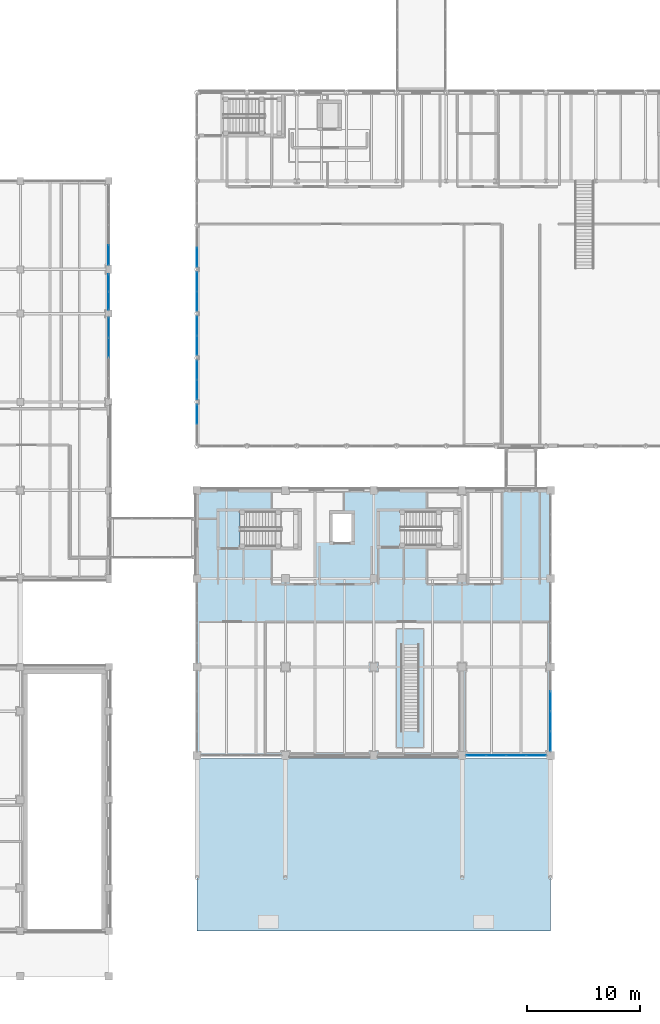
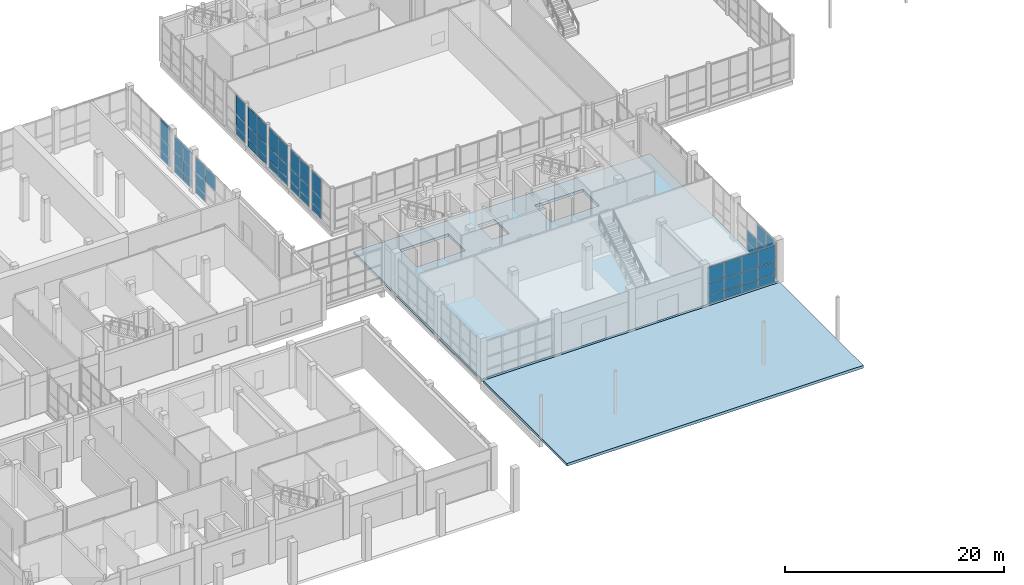
# One storey, part 73 of 131: 57 plates, 2 slabs, 10 elements without a shape of their own.
"""IFC4 building model written with IfcOpenShell, lengths in metres."""

from ifc_helpers import new_model, si_unit, direction, frame, origin, origin_2d, place, context, subcontext, project, spatial, polyline, rectangle, outline, extrude, material, layer, layer_set, type_object, element, aggregate, save


model = new_model("IFC4")

# Units and contexts
model_context = context("Model", 3, precision=1e-05, world=origin(), true_north=direction((0.0, 1.0)))
body_context = subcontext(model_context, "Body", "Model", "MODEL_VIEW")
ifc_project = project(units=[si_unit("LENGTHUNIT", "METRE"), si_unit("AREAUNIT", "SQUARE_METRE"), si_unit("VOLUMEUNIT", "CUBIC_METRE"), si_unit("PLANEANGLEUNIT", "RADIAN"), si_unit("MASSUNIT", "GRAM", prefix="KILO")], contexts=[model_context])

# Site, building, storey
site_placement = place(None, origin())
site = spatial("IfcSite", under=ifc_project, at=site_placement, CompositionType="ELEMENT")
building_placement = place(site_placement, origin())
building = spatial("IfcBuilding", under=site, at=building_placement, Name="Celorna Specialist Clinic", CompositionType="ELEMENT")
storey_placement = place(building_placement, origin())
storey = spatial("IfcBuildingStorey", under=building, at=storey_placement, Name="L00", CompositionType="ELEMENT", Elevation=0.0)

# Curtain wall, plates
ifc_material_1 = material(Name="Thermally broken aluminium and solar-control glass curtain wall", Category="aluminium")
ifc_layer_1 = layer(ifc_material_1, 0.159912109375, Name="Thermally broken aluminium and solar-control glass curtain wall")
ifc_layer_set_1 = layer_set([ifc_layer_1], Name="Thermally broken aluminium and solar-control glass curtain wall")
curtain_wall_type_1 = type_object("IfcCurtainWallType", Name="CW-06", PredefinedType="NOTDEFINED", material=ifc_layer_set_1)
curtain_wall_1_placement = place(storey_placement, origin())
curtain_wall_1 = element("IfcCurtainWall", 1, at=curtain_wall_1_placement, inside=storey, type_object=curtain_wall_type_1, Name="Curtain wall CW-06 #14", PredefinedType="NOTDEFINED")
ifc_material_2 = material(Name="Low-e double glazing", Category="glass")
ifc_layer_2 = layer(ifc_material_2, 0.028076171875, Name="Low-e double glazing")
ifc_layer_set_2 = layer_set([ifc_layer_2], Name="Low-e double glazing")
plate_type_1 = type_object("IfcPlateType", Name="CPN-01", PredefinedType="CURTAIN_PANEL", material=ifc_layer_set_2)
plate_1_placement = place(storey_placement, frame((54.60009765625, 63.4912109375, 0.0498046875), z_axis=(0.0, 0.0, 1.0), x_axis=(0.0, 1.0, 0.0)))
plate_1 = element("IfcPlate", 2, at=plate_1_placement, type_object=plate_type_1, Name="CW-06 panel 1.1", PredefinedType="CURTAIN_PANEL", context=body_context, shape_type="SweptSolid", body=[
    extrude(rectangle(XDim=1.667724609375, YDim=0.028076171875, at=origin_2d()), origin(), (0.0, 0.0, 1.0), 0.824951171875),
])
plate_2_placement = place(storey_placement, frame((54.60009765625, 63.4912109375, 0.925048828125), z_axis=(0.0, 0.0, 1.0), x_axis=(0.0, 1.0, 0.0)))
plate_2 = element("IfcPlate", 3, at=plate_2_placement, type_object=plate_type_1, Name="CW-06 panel 1.2", PredefinedType="CURTAIN_PANEL", context=body_context, shape_type="SweptSolid", body=[
    extrude(rectangle(XDim=1.667724609375, YDim=0.028076171875, at=origin_2d()), origin(), (0.0, 0.0, 1.0), 1.35009765625),
])
plate_3_placement = place(storey_placement, frame((54.60009765625, 63.4912109375, 2.324951171875), z_axis=(0.0, 0.0, 1.0), x_axis=(0.0, 1.0, 0.0)))
plate_3 = element("IfcPlate", 4, at=plate_3_placement, type_object=plate_type_1, Name="CW-06 panel 1.3", PredefinedType="CURTAIN_PANEL", context=body_context, shape_type="SweptSolid", body=[
    extrude(rectangle(XDim=1.667724609375, YDim=0.028076171875, at=origin_2d()), origin(), (0.0, 0.0, 1.0), 2.1650390625),
])
aggregate(curtain_wall_1, [plate_1, plate_2, plate_3])

ifc_layer_3 = layer(ifc_material_1, 0.159912109375, Name="Thermally broken aluminium and solar-control glass curtain wall")
ifc_layer_set_3 = layer_set([ifc_layer_3], Name="Thermally broken aluminium and solar-control glass curtain wall")
curtain_wall_type_2 = type_object("IfcCurtainWallType", Name="CW-19", PredefinedType="NOTDEFINED", material=ifc_layer_set_3)
curtain_wall_2_placement = place(storey_placement, origin())
curtain_wall_2 = element("IfcCurtainWall", 5, at=curtain_wall_2_placement, inside=storey, type_object=curtain_wall_type_2, Name="Curtain wall CW-19 #47", PredefinedType="NOTDEFINED")
plate_4_placement = place(storey_placement, frame((46.800048828125, 57.284423828125, 0.0498046875), z_axis=(0.0, 0.0, 1.0), x_axis=(0.0, -1.0, 0.0)))
plate_4 = element("IfcPlate", 6, at=plate_4_placement, type_object=plate_type_1, Name="CW-19 panel 1.1", PredefinedType="CURTAIN_PANEL", context=body_context, shape_type="SweptSolid", body=[
    extrude(rectangle(XDim=1.722900390625, YDim=0.028076171875, at=origin_2d()), origin(), (0.0, 0.0, 1.0), 0.824951171875),
])
plate_5_placement = place(storey_placement, frame((46.800048828125, 57.284423828125, 0.925048828125), z_axis=(0.0, 0.0, 1.0), x_axis=(0.0, -1.0, 0.0)))
plate_5 = element("IfcPlate", 7, at=plate_5_placement, type_object=plate_type_1, Name="CW-19 panel 1.2", PredefinedType="CURTAIN_PANEL", context=body_context, shape_type="SweptSolid", body=[
    extrude(rectangle(XDim=1.722900390625, YDim=0.028076171875, at=origin_2d()), origin(), (0.0, 0.0, 1.0), 1.35009765625),
])
plate_6_placement = place(storey_placement, frame((46.800048828125, 57.284423828125, 2.324951171875), z_axis=(0.0, 0.0, 1.0), x_axis=(0.0, -1.0, 0.0)))
plate_6 = element("IfcPlate", 8, at=plate_6_placement, type_object=plate_type_1, Name="CW-19 panel 1.3", PredefinedType="CURTAIN_PANEL", context=body_context, shape_type="SweptSolid", body=[
    extrude(rectangle(XDim=1.722900390625, YDim=0.028076171875, at=origin_2d()), origin(), (0.0, 0.0, 1.0), 1.68505859375),
])
plate_7_placement = place(storey_placement, frame((46.800048828125, 55.4990234375, 2.324951171875), z_axis=(0.0, 0.0, 1.0), x_axis=(0.0, -1.0, 0.0)))
plate_7 = element("IfcPlate", 9, at=plate_7_placement, type_object=plate_type_1, Name="CW-19 panel 2.3", PredefinedType="CURTAIN_PANEL", context=body_context, shape_type="SweptSolid", body=[
    extrude(rectangle(XDim=1.748046875, YDim=0.028076171875, at=origin_2d()), origin(), (0.0, 0.0, 1.0), 1.68505859375),
])
aggregate(curtain_wall_2, [plate_4, plate_5, plate_6, plate_7])

ifc_layer_4 = layer(ifc_material_1, 0.159912109375, Name="Thermally broken aluminium and solar-control glass curtain wall")
ifc_layer_set_4 = layer_set([ifc_layer_4], Name="Thermally broken aluminium and solar-control glass curtain wall")
curtain_wall_type_3 = type_object("IfcCurtainWallType", Name="CW-04", PredefinedType="NOTDEFINED", material=ifc_layer_set_4)
curtain_wall_3_placement = place(storey_placement, origin())
curtain_wall_3 = element("IfcCurtainWall", 10, at=curtain_wall_3_placement, inside=storey, type_object=curtain_wall_type_3, Name="Curtain wall CW-04 #10", PredefinedType="NOTDEFINED")
ifc_material_3 = material(Name="Solar-control triple glazing", Category="glass")
ifc_layer_5 = layer(ifc_material_3, 0.035888671875, Name="Solar-control triple glazing")
ifc_layer_set_5 = layer_set([ifc_layer_5], Name="Solar-control triple glazing")
plate_type_2 = type_object("IfcPlateType", Name="CPN-02", PredefinedType="CURTAIN_PANEL", material=ifc_layer_set_5)
plate_8_placement = place(storey_placement, frame((54.60009765625, 49.60888671875, 0.0498046875), z_axis=(0.0, 0.0, 1.0), x_axis=(0.0, 1.0, 0.0)))
plate_8 = element("IfcPlate", 11, at=plate_8_placement, type_object=plate_type_2, Name="CW-04 panel 2.1", PredefinedType="CURTAIN_PANEL", context=body_context, shape_type="SweptSolid", body=[
    extrude(rectangle(XDim=1.667724609375, YDim=0.035888671875, at=origin_2d()), origin(), (0.0, 0.0, 1.0), 0.824951171875),
])
plate_9_placement = place(storey_placement, frame((54.60009765625, 49.60888671875, 0.925048828125), z_axis=(0.0, 0.0, 1.0), x_axis=(0.0, 1.0, 0.0)))
plate_9 = element("IfcPlate", 12, at=plate_9_placement, type_object=plate_type_2, Name="CW-04 panel 2.2", PredefinedType="CURTAIN_PANEL", context=body_context, shape_type="SweptSolid", body=[
    extrude(rectangle(XDim=1.667724609375, YDim=0.035888671875, at=origin_2d()), origin(), (0.0, 0.0, 1.0), 1.35009765625),
])
plate_10_placement = place(storey_placement, frame((54.60009765625, 49.60888671875, 2.324951171875), z_axis=(0.0, 0.0, 1.0), x_axis=(0.0, 1.0, 0.0)))
plate_10 = element("IfcPlate", 13, at=plate_10_placement, type_object=plate_type_2, Name="CW-04 panel 2.3", PredefinedType="CURTAIN_PANEL", context=body_context, shape_type="SweptSolid", body=[
    extrude(rectangle(XDim=1.667724609375, YDim=0.035888671875, at=origin_2d()), origin(), (0.0, 0.0, 1.0), 2.1650390625),
])
aggregate(curtain_wall_3, [plate_8, plate_9, plate_10])

curtain_wall_4_placement = place(storey_placement, origin())
curtain_wall_4 = element("IfcCurtainWall", 14, at=curtain_wall_4_placement, inside=storey, type_object=curtain_wall_type_3, Name="Curtain wall CW-04 #11", PredefinedType="NOTDEFINED")
plate_11_placement = place(storey_placement, frame((54.60009765625, 51.791015625, 0.0498046875), z_axis=(0.0, 0.0, 1.0), x_axis=(0.0, 1.0, 0.0)))
plate_11 = element("IfcPlate", 15, at=plate_11_placement, type_object=plate_type_2, Name="CW-04 panel 1.1", PredefinedType="CURTAIN_PANEL", context=body_context, shape_type="SweptSolid", body=[
    extrude(rectangle(XDim=1.667724609375, YDim=0.035888671875, at=origin_2d()), origin(), (0.0, 0.0, 1.0), 0.824951171875),
])
plate_12_placement = place(storey_placement, frame((54.60009765625, 51.791015625, 0.925048828125), z_axis=(0.0, 0.0, 1.0), x_axis=(0.0, 1.0, 0.0)))
plate_12 = element("IfcPlate", 16, at=plate_12_placement, type_object=plate_type_2, Name="CW-04 panel 1.2", PredefinedType="CURTAIN_PANEL", context=body_context, shape_type="SweptSolid", body=[
    extrude(rectangle(XDim=1.667724609375, YDim=0.035888671875, at=origin_2d()), origin(), (0.0, 0.0, 1.0), 1.35009765625),
])
plate_13_placement = place(storey_placement, frame((54.60009765625, 51.791015625, 2.324951171875), z_axis=(0.0, 0.0, 1.0), x_axis=(0.0, 1.0, 0.0)))
plate_13 = element("IfcPlate", 17, at=plate_13_placement, type_object=plate_type_2, Name="CW-04 panel 1.3", PredefinedType="CURTAIN_PANEL", context=body_context, shape_type="SweptSolid", body=[
    extrude(rectangle(XDim=1.667724609375, YDim=0.035888671875, at=origin_2d()), origin(), (0.0, 0.0, 1.0), 2.1650390625),
])
plate_14_placement = place(storey_placement, frame((54.60009765625, 53.5087890625, 0.0498046875), z_axis=(0.0, 0.0, 1.0), x_axis=(0.0, 1.0, 0.0)))
plate_14 = element("IfcPlate", 18, at=plate_14_placement, type_object=plate_type_2, Name="CW-04 panel 2.1", PredefinedType="CURTAIN_PANEL", context=body_context, shape_type="SweptSolid", body=[
    extrude(rectangle(XDim=1.667724609375, YDim=0.035888671875, at=origin_2d()), origin(), (0.0, 0.0, 1.0), 0.824951171875),
])
plate_15_placement = place(storey_placement, frame((54.60009765625, 53.5087890625, 0.925048828125), z_axis=(0.0, 0.0, 1.0), x_axis=(0.0, 1.0, 0.0)))
plate_15 = element("IfcPlate", 19, at=plate_15_placement, type_object=plate_type_2, Name="CW-04 panel 2.2", PredefinedType="CURTAIN_PANEL", context=body_context, shape_type="SweptSolid", body=[
    extrude(rectangle(XDim=1.667724609375, YDim=0.035888671875, at=origin_2d()), origin(), (0.0, 0.0, 1.0), 1.35009765625),
])
plate_16_placement = place(storey_placement, frame((54.60009765625, 53.5087890625, 2.324951171875), z_axis=(0.0, 0.0, 1.0), x_axis=(0.0, 1.0, 0.0)))
plate_16 = element("IfcPlate", 20, at=plate_16_placement, type_object=plate_type_2, Name="CW-04 panel 2.3", PredefinedType="CURTAIN_PANEL", context=body_context, shape_type="SweptSolid", body=[
    extrude(rectangle(XDim=1.667724609375, YDim=0.035888671875, at=origin_2d()), origin(), (0.0, 0.0, 1.0), 2.1650390625),
])
aggregate(curtain_wall_4, [plate_11, plate_12, plate_13, plate_14, plate_15, plate_16])

ifc_layer_6 = layer(ifc_material_1, 0.159912109375, Name="Thermally broken aluminium and solar-control glass curtain wall")
ifc_layer_set_6 = layer_set([ifc_layer_6], Name="Thermally broken aluminium and solar-control glass curtain wall")
curtain_wall_type_4 = type_object("IfcCurtainWallType", Name="CW-20", PredefinedType="NOTDEFINED", material=ifc_layer_set_6)
curtain_wall_5_placement = place(storey_placement, origin())
curtain_wall_5 = element("IfcCurtainWall", 21, at=curtain_wall_5_placement, inside=storey, type_object=curtain_wall_type_4, Name="Curtain wall CW-20 #48", PredefinedType="NOTDEFINED")
plate_17_placement = place(storey_placement, frame((46.800048828125, 61.204345703125, 0.0498046875), z_axis=(0.0, 0.0, 1.0), x_axis=(0.0, -1.0, 0.0)))
plate_17 = element("IfcPlate", 22, at=plate_17_placement, type_object=plate_type_2, Name="CW-20 panel 1.1", PredefinedType="CURTAIN_PANEL", context=body_context, shape_type="SweptSolid", body=[
    extrude(rectangle(XDim=1.533447265625, YDim=0.035888671875, at=origin_2d()), origin(), (0.0, 0.0, 1.0), 0.824951171875),
])
plate_18_placement = place(storey_placement, frame((46.800048828125, 61.204345703125, 0.925048828125), z_axis=(0.0, 0.0, 1.0), x_axis=(0.0, -1.0, 0.0)))
plate_18 = element("IfcPlate", 23, at=plate_18_placement, type_object=plate_type_2, Name="CW-20 panel 1.2", PredefinedType="CURTAIN_PANEL", context=body_context, shape_type="SweptSolid", body=[
    extrude(rectangle(XDim=1.533447265625, YDim=0.035888671875, at=origin_2d()), origin(), (0.0, 0.0, 1.0), 1.35009765625),
])
plate_19_placement = place(storey_placement, frame((46.800048828125, 61.204345703125, 2.324951171875), z_axis=(0.0, 0.0, 1.0), x_axis=(0.0, -1.0, 0.0)))
plate_19 = element("IfcPlate", 24, at=plate_19_placement, type_object=plate_type_2, Name="CW-20 panel 1.3", PredefinedType="CURTAIN_PANEL", context=body_context, shape_type="SweptSolid", body=[
    extrude(rectangle(XDim=1.533447265625, YDim=0.035888671875, at=origin_2d()), origin(), (0.0, 0.0, 1.0), 1.68505859375),
])
plate_20_placement = place(storey_placement, frame((46.800048828125, 59.620849609375, 0.0498046875), z_axis=(0.0, 0.0, 1.0), x_axis=(0.0, -1.0, 0.0)))
plate_20 = element("IfcPlate", 25, at=plate_20_placement, type_object=plate_type_2, Name="CW-20 panel 2.1", PredefinedType="CURTAIN_PANEL", context=body_context, shape_type="SweptSolid", body=[
    extrude(rectangle(XDim=1.533447265625, YDim=0.035888671875, at=origin_2d()), origin(), (0.0, 0.0, 1.0), 0.824951171875),
])
plate_21_placement = place(storey_placement, frame((46.800048828125, 59.620849609375, 0.925048828125), z_axis=(0.0, 0.0, 1.0), x_axis=(0.0, -1.0, 0.0)))
plate_21 = element("IfcPlate", 26, at=plate_21_placement, type_object=plate_type_2, Name="CW-20 panel 2.2", PredefinedType="CURTAIN_PANEL", context=body_context, shape_type="SweptSolid", body=[
    extrude(rectangle(XDim=1.533447265625, YDim=0.035888671875, at=origin_2d()), origin(), (0.0, 0.0, 1.0), 1.35009765625),
])
plate_22_placement = place(storey_placement, frame((46.800048828125, 59.620849609375, 2.324951171875), z_axis=(0.0, 0.0, 1.0), x_axis=(0.0, -1.0, 0.0)))
plate_22 = element("IfcPlate", 27, at=plate_22_placement, type_object=plate_type_2, Name="CW-20 panel 2.3", PredefinedType="CURTAIN_PANEL", context=body_context, shape_type="SweptSolid", body=[
    extrude(rectangle(XDim=1.533447265625, YDim=0.035888671875, at=origin_2d()), origin(), (0.0, 0.0, 1.0), 1.68505859375),
])
aggregate(curtain_wall_5, [plate_17, plate_18, plate_19, plate_20, plate_21, plate_22])

ifc_layer_7 = layer(ifc_material_1, 0.159912109375, Name="Thermally broken aluminium and solar-control glass curtain wall")
ifc_layer_set_7 = layer_set([ifc_layer_7], Name="Thermally broken aluminium and solar-control glass curtain wall")
curtain_wall_type_5 = type_object("IfcCurtainWallType", Name="CW-102", PredefinedType="NOTDEFINED", material=ifc_layer_set_7)
curtain_wall_6_placement = place(storey_placement, origin())
curtain_wall_6 = element("IfcCurtainWall", 28, at=curtain_wall_6_placement, inside=storey, type_object=curtain_wall_type_5, Name="Curtain wall CW-102 #180", PredefinedType="NOTDEFINED")
plate_23_placement = place(storey_placement, frame((84.547119140625, 19.5, 0.0498046875), z_axis=(0.0, 0.0, 1.0), x_axis=(-1.0, 0.0, 0.0)))
plate_23 = element("IfcPlate", 29, at=plate_23_placement, type_object=plate_type_2, Name="CW-102 panel 1.1", PredefinedType="CURTAIN_PANEL", context=body_context, shape_type="SweptSolid", body=[
    extrude(rectangle(XDim=1.697998046875, YDim=0.035888671875, at=origin_2d()), origin(), (0.0, 0.0, 1.0), 0.824951171875),
])
plate_24_placement = place(storey_placement, frame((84.547119140625, 19.5, 0.925048828125), z_axis=(0.0, 0.0, 1.0), x_axis=(-1.0, 0.0, 0.0)))
plate_24 = element("IfcPlate", 30, at=plate_24_placement, type_object=plate_type_2, Name="CW-102 panel 1.2", PredefinedType="CURTAIN_PANEL", context=body_context, shape_type="SweptSolid", body=[
    extrude(rectangle(XDim=1.697998046875, YDim=0.035888671875, at=origin_2d()), origin(), (0.0, 0.0, 1.0), 1.35009765625),
])
plate_25_placement = place(storey_placement, frame((84.547119140625, 19.5, 2.3251953125), z_axis=(0.0, 0.0, 1.0), x_axis=(-1.0, 0.0, 0.0)))
plate_25 = element("IfcPlate", 31, at=plate_25_placement, type_object=plate_type_2, Name="CW-102 panel 1.3", PredefinedType="CURTAIN_PANEL", context=body_context, shape_type="SweptSolid", body=[
    extrude(rectangle(XDim=1.697998046875, YDim=0.035888671875, at=origin_2d()), origin(), (0.0, 0.0, 1.0), 1.764892578125),
])
plate_26_placement = place(storey_placement, frame((82.78662109375, 19.5, 0.0498046875), z_axis=(0.0, 0.0, 1.0), x_axis=(-1.0, 0.0, 0.0)))
plate_26 = element("IfcPlate", 32, at=plate_26_placement, type_object=plate_type_2, Name="CW-102 panel 2.1", PredefinedType="CURTAIN_PANEL", context=body_context, shape_type="SweptSolid", body=[
    extrude(rectangle(XDim=1.722900390625, YDim=0.035888671875, at=origin_2d()), origin(), (0.0, 0.0, 1.0), 0.824951171875),
])
plate_27_placement = place(storey_placement, frame((82.78662109375, 19.5, 0.925048828125), z_axis=(0.0, 0.0, 1.0), x_axis=(-1.0, 0.0, 0.0)))
plate_27 = element("IfcPlate", 33, at=plate_27_placement, type_object=plate_type_2, Name="CW-102 panel 2.2", PredefinedType="CURTAIN_PANEL", context=body_context, shape_type="SweptSolid", body=[
    extrude(rectangle(XDim=1.722900390625, YDim=0.035888671875, at=origin_2d()), origin(), (0.0, 0.0, 1.0), 1.35009765625),
])
plate_28_placement = place(storey_placement, frame((82.78662109375, 19.5, 2.3251953125), z_axis=(0.0, 0.0, 1.0), x_axis=(-1.0, 0.0, 0.0)))
plate_28 = element("IfcPlate", 34, at=plate_28_placement, type_object=plate_type_2, Name="CW-102 panel 2.3", PredefinedType="CURTAIN_PANEL", context=body_context, shape_type="SweptSolid", body=[
    extrude(rectangle(XDim=1.722900390625, YDim=0.035888671875, at=origin_2d()), origin(), (0.0, 0.0, 1.0), 1.764892578125),
])
plate_29_placement = place(storey_placement, frame((81.013427734375, 19.5, 0.0498046875), z_axis=(0.0, 0.0, 1.0), x_axis=(-1.0, 0.0, 0.0)))
plate_29 = element("IfcPlate", 35, at=plate_29_placement, type_object=plate_type_2, Name="CW-102 panel 3.1", PredefinedType="CURTAIN_PANEL", context=body_context, shape_type="SweptSolid", body=[
    extrude(rectangle(XDim=1.722900390625, YDim=0.035888671875, at=origin_2d()), origin(), (0.0, 0.0, 1.0), 0.824951171875),
])
plate_30_placement = place(storey_placement, frame((81.013427734375, 19.5, 0.925048828125), z_axis=(0.0, 0.0, 1.0), x_axis=(-1.0, 0.0, 0.0)))
plate_30 = element("IfcPlate", 36, at=plate_30_placement, type_object=plate_type_2, Name="CW-102 panel 3.2", PredefinedType="CURTAIN_PANEL", context=body_context, shape_type="SweptSolid", body=[
    extrude(rectangle(XDim=1.722900390625, YDim=0.035888671875, at=origin_2d()), origin(), (0.0, 0.0, 1.0), 1.35009765625),
])
plate_31_placement = place(storey_placement, frame((81.013427734375, 19.5, 2.3251953125), z_axis=(0.0, 0.0, 1.0), x_axis=(-1.0, 0.0, 0.0)))
plate_31 = element("IfcPlate", 37, at=plate_31_placement, type_object=plate_type_2, Name="CW-102 panel 3.3", PredefinedType="CURTAIN_PANEL", context=body_context, shape_type="SweptSolid", body=[
    extrude(rectangle(XDim=1.722900390625, YDim=0.035888671875, at=origin_2d()), origin(), (0.0, 0.0, 1.0), 1.764892578125),
])
plate_32_placement = place(storey_placement, frame((79.2529296875, 19.5, 0.0498046875), z_axis=(0.0, 0.0, 1.0), x_axis=(-1.0, 0.0, 0.0)))
plate_32 = element("IfcPlate", 38, at=plate_32_placement, type_object=plate_type_2, Name="CW-102 panel 4.1", PredefinedType="CURTAIN_PANEL", context=body_context, shape_type="SweptSolid", body=[
    extrude(rectangle(XDim=1.697998046875, YDim=0.035888671875, at=origin_2d()), origin(), (0.0, 0.0, 1.0), 0.824951171875),
])
plate_33_placement = place(storey_placement, frame((79.2529296875, 19.5, 0.925048828125), z_axis=(0.0, 0.0, 1.0), x_axis=(-1.0, 0.0, 0.0)))
plate_33 = element("IfcPlate", 39, at=plate_33_placement, type_object=plate_type_2, Name="CW-102 panel 4.2", PredefinedType="CURTAIN_PANEL", context=body_context, shape_type="SweptSolid", body=[
    extrude(rectangle(XDim=1.697998046875, YDim=0.035888671875, at=origin_2d()), origin(), (0.0, 0.0, 1.0), 1.35009765625),
])
plate_34_placement = place(storey_placement, frame((79.2529296875, 19.5, 2.3251953125), z_axis=(0.0, 0.0, 1.0), x_axis=(-1.0, 0.0, 0.0)))
plate_34 = element("IfcPlate", 40, at=plate_34_placement, type_object=plate_type_2, Name="CW-102 panel 4.3", PredefinedType="CURTAIN_PANEL", context=body_context, shape_type="SweptSolid", body=[
    extrude(rectangle(XDim=1.697998046875, YDim=0.035888671875, at=origin_2d()), origin(), (0.0, 0.0, 1.0), 1.764892578125),
])
aggregate(curtain_wall_6, [plate_23, plate_24, plate_25, plate_26, plate_27, plate_28, plate_29, plate_30, plate_31, plate_32, plate_33, plate_34])

curtain_wall_7_placement = place(storey_placement, origin())
curtain_wall_7 = element("IfcCurtainWall", 41, at=curtain_wall_7_placement, inside=storey, type_object=curtain_wall_type_5, Name="Curtain wall CW-102 #183", PredefinedType="NOTDEFINED")
plate_35_placement = place(storey_placement, frame((85.800048828125, 24.28662109375, 0.0498046875), z_axis=(0.0, 0.0, 1.0), x_axis=(0.0, -1.0, 0.0)))
plate_35 = element("IfcPlate", 42, at=plate_35_placement, type_object=plate_type_2, Name="CW-102 panel 2.1", PredefinedType="CURTAIN_PANEL", context=body_context, shape_type="SweptSolid", body=[
    extrude(rectangle(XDim=1.722900390625, YDim=0.035888671875, at=origin_2d()), origin(), (0.0, 0.0, 1.0), 0.824951171875),
])
plate_36_placement = place(storey_placement, frame((85.800048828125, 24.28662109375, 0.925048828125), z_axis=(0.0, 0.0, 1.0), x_axis=(0.0, -1.0, 0.0)))
plate_36 = element("IfcPlate", 43, at=plate_36_placement, type_object=plate_type_2, Name="CW-102 panel 2.2", PredefinedType="CURTAIN_PANEL", context=body_context, shape_type="SweptSolid", body=[
    extrude(rectangle(XDim=1.722900390625, YDim=0.035888671875, at=origin_2d()), origin(), (0.0, 0.0, 1.0), 1.35009765625),
])
plate_37_placement = place(storey_placement, frame((85.800048828125, 22.513427734375, 0.0498046875), z_axis=(0.0, 0.0, 1.0), x_axis=(0.0, -1.0, 0.0)))
plate_37 = element("IfcPlate", 44, at=plate_37_placement, type_object=plate_type_2, Name="CW-102 panel 3.1", PredefinedType="CURTAIN_PANEL", context=body_context, shape_type="SweptSolid", body=[
    extrude(rectangle(XDim=1.722900390625, YDim=0.035888671875, at=origin_2d()), origin(), (0.0, 0.0, 1.0), 0.824951171875),
])
plate_38_placement = place(storey_placement, frame((85.800048828125, 22.513427734375, 0.925048828125), z_axis=(0.0, 0.0, 1.0), x_axis=(0.0, -1.0, 0.0)))
plate_38 = element("IfcPlate", 45, at=plate_38_placement, type_object=plate_type_2, Name="CW-102 panel 3.2", PredefinedType="CURTAIN_PANEL", context=body_context, shape_type="SweptSolid", body=[
    extrude(rectangle(XDim=1.722900390625, YDim=0.035888671875, at=origin_2d()), origin(), (0.0, 0.0, 1.0), 1.35009765625),
])
plate_39_placement = place(storey_placement, frame((85.800048828125, 22.513427734375, 2.3251953125), z_axis=(0.0, 0.0, 1.0), x_axis=(0.0, -1.0, 0.0)))
plate_39 = element("IfcPlate", 46, at=plate_39_placement, type_object=plate_type_2, Name="CW-102 panel 3.3", PredefinedType="CURTAIN_PANEL", context=body_context, shape_type="SweptSolid", body=[
    extrude(rectangle(XDim=1.722900390625, YDim=0.035888671875, at=origin_2d()), origin(), (0.0, 0.0, 1.0), 1.764892578125),
])
plate_40_placement = place(storey_placement, frame((85.800048828125, 20.7529296875, 0.0498046875), z_axis=(0.0, 0.0, 1.0), x_axis=(0.0, -1.0, 0.0)))
plate_40 = element("IfcPlate", 47, at=plate_40_placement, type_object=plate_type_2, Name="CW-102 panel 4.1", PredefinedType="CURTAIN_PANEL", context=body_context, shape_type="SweptSolid", body=[
    extrude(rectangle(XDim=1.697998046875, YDim=0.035888671875, at=origin_2d()), origin(), (0.0, 0.0, 1.0), 0.824951171875),
])
plate_41_placement = place(storey_placement, frame((85.800048828125, 20.7529296875, 0.925048828125), z_axis=(0.0, 0.0, 1.0), x_axis=(0.0, -1.0, 0.0)))
plate_41 = element("IfcPlate", 48, at=plate_41_placement, type_object=plate_type_2, Name="CW-102 panel 4.2", PredefinedType="CURTAIN_PANEL", context=body_context, shape_type="SweptSolid", body=[
    extrude(rectangle(XDim=1.697998046875, YDim=0.035888671875, at=origin_2d()), origin(), (0.0, 0.0, 1.0), 1.35009765625),
])
plate_42_placement = place(storey_placement, frame((85.800048828125, 20.7529296875, 2.3251953125), z_axis=(0.0, 0.0, 1.0), x_axis=(0.0, -1.0, 0.0)))
plate_42 = element("IfcPlate", 49, at=plate_42_placement, type_object=plate_type_2, Name="CW-102 panel 4.3", PredefinedType="CURTAIN_PANEL", context=body_context, shape_type="SweptSolid", body=[
    extrude(rectangle(XDim=1.697998046875, YDim=0.035888671875, at=origin_2d()), origin(), (0.0, 0.0, 1.0), 1.764892578125),
])
aggregate(curtain_wall_7, [plate_35, plate_36, plate_37, plate_38, plate_39, plate_40, plate_41, plate_42])

ifc_layer_8 = layer(ifc_material_1, 0.159912109375, Name="Thermally broken aluminium and solar-control glass curtain wall")
ifc_layer_set_8 = layer_set([ifc_layer_8], Name="Thermally broken aluminium and solar-control glass curtain wall")
curtain_wall_type_6 = type_object("IfcCurtainWallType", Name="CW-05", PredefinedType="NOTDEFINED", material=ifc_layer_set_8)
curtain_wall_8_placement = place(storey_placement, origin())
curtain_wall_8 = element("IfcCurtainWall", 50, at=curtain_wall_8_placement, inside=storey, type_object=curtain_wall_type_6, Name="Curtain wall CW-05 #12", PredefinedType="NOTDEFINED")
ifc_material_4 = material(Name="Glazed polychrome ceramic insulated spandrel")
ifc_layer_9 = layer(ifc_material_4, 0.0439453125, Name="Glazed polychrome ceramic insulated spandrel")
ifc_layer_set_9 = layer_set([ifc_layer_9], Name="Glazed polychrome ceramic insulated spandrel")
plate_type_3 = type_object("IfcPlateType", Name="CPN-03", PredefinedType="CURTAIN_PANEL", material=ifc_layer_set_9)
plate_43_placement = place(storey_placement, frame((54.60009765625, 55.691162109375, 0.0498046875), z_axis=(0.0, 0.0, 1.0), x_axis=(0.0, 1.0, 0.0)))
plate_43 = element("IfcPlate", 51, at=plate_43_placement, type_object=plate_type_3, Name="CW-05 panel 1.1", PredefinedType="CURTAIN_PANEL", context=body_context, shape_type="SweptSolid", body=[
    extrude(rectangle(XDim=1.667724609375, YDim=0.0439453125, at=origin_2d()), origin(), (0.0, 0.0, 1.0), 0.824951171875),
])
plate_44_placement = place(storey_placement, frame((54.60009765625, 55.691162109375, 0.925048828125), z_axis=(0.0, 0.0, 1.0), x_axis=(0.0, 1.0, 0.0)))
plate_44 = element("IfcPlate", 52, at=plate_44_placement, type_object=plate_type_3, Name="CW-05 panel 1.2", PredefinedType="CURTAIN_PANEL", context=body_context, shape_type="SweptSolid", body=[
    extrude(rectangle(XDim=1.667724609375, YDim=0.0439453125, at=origin_2d()), origin(), (0.0, 0.0, 1.0), 1.35009765625),
])
plate_45_placement = place(storey_placement, frame((54.60009765625, 55.691162109375, 2.324951171875), z_axis=(0.0, 0.0, 1.0), x_axis=(0.0, 1.0, 0.0)))
plate_45 = element("IfcPlate", 53, at=plate_45_placement, type_object=plate_type_3, Name="CW-05 panel 1.3", PredefinedType="CURTAIN_PANEL", context=body_context, shape_type="SweptSolid", body=[
    extrude(rectangle(XDim=1.667724609375, YDim=0.0439453125, at=origin_2d()), origin(), (0.0, 0.0, 1.0), 2.1650390625),
])
plate_46_placement = place(storey_placement, frame((54.60009765625, 57.408935546875, 0.0498046875), z_axis=(0.0, 0.0, 1.0), x_axis=(0.0, 1.0, 0.0)))
plate_46 = element("IfcPlate", 54, at=plate_46_placement, type_object=plate_type_3, Name="CW-05 panel 2.1", PredefinedType="CURTAIN_PANEL", context=body_context, shape_type="SweptSolid", body=[
    extrude(rectangle(XDim=1.667724609375, YDim=0.0439453125, at=origin_2d()), origin(), (0.0, 0.0, 1.0), 0.824951171875),
])
plate_47_placement = place(storey_placement, frame((54.60009765625, 57.408935546875, 0.925048828125), z_axis=(0.0, 0.0, 1.0), x_axis=(0.0, 1.0, 0.0)))
plate_47 = element("IfcPlate", 55, at=plate_47_placement, type_object=plate_type_3, Name="CW-05 panel 2.2", PredefinedType="CURTAIN_PANEL", context=body_context, shape_type="SweptSolid", body=[
    extrude(rectangle(XDim=1.667724609375, YDim=0.0439453125, at=origin_2d()), origin(), (0.0, 0.0, 1.0), 1.35009765625),
])
plate_48_placement = place(storey_placement, frame((54.60009765625, 57.408935546875, 2.324951171875), z_axis=(0.0, 0.0, 1.0), x_axis=(0.0, 1.0, 0.0)))
plate_48 = element("IfcPlate", 56, at=plate_48_placement, type_object=plate_type_3, Name="CW-05 panel 2.3", PredefinedType="CURTAIN_PANEL", context=body_context, shape_type="SweptSolid", body=[
    extrude(rectangle(XDim=1.667724609375, YDim=0.0439453125, at=origin_2d()), origin(), (0.0, 0.0, 1.0), 2.1650390625),
])
aggregate(curtain_wall_8, [plate_43, plate_44, plate_45, plate_46, plate_47, plate_48])

curtain_wall_9_placement = place(storey_placement, origin())
curtain_wall_9 = element("IfcCurtainWall", 57, at=curtain_wall_9_placement, inside=storey, type_object=curtain_wall_type_6, Name="Curtain wall CW-05 #13", PredefinedType="NOTDEFINED")
plate_49_placement = place(storey_placement, frame((54.60009765625, 59.591064453125, 0.0498046875), z_axis=(0.0, 0.0, 1.0), x_axis=(0.0, 1.0, 0.0)))
plate_49 = element("IfcPlate", 58, at=plate_49_placement, type_object=plate_type_3, Name="CW-05 panel 1.1", PredefinedType="CURTAIN_PANEL", context=body_context, shape_type="SweptSolid", body=[
    extrude(rectangle(XDim=1.667724609375, YDim=0.0439453125, at=origin_2d()), origin(), (0.0, 0.0, 1.0), 0.824951171875),
])
plate_50_placement = place(storey_placement, frame((54.60009765625, 59.591064453125, 0.925048828125), z_axis=(0.0, 0.0, 1.0), x_axis=(0.0, 1.0, 0.0)))
plate_50 = element("IfcPlate", 59, at=plate_50_placement, type_object=plate_type_3, Name="CW-05 panel 1.2", PredefinedType="CURTAIN_PANEL", context=body_context, shape_type="SweptSolid", body=[
    extrude(rectangle(XDim=1.667724609375, YDim=0.0439453125, at=origin_2d()), origin(), (0.0, 0.0, 1.0), 1.35009765625),
])
plate_51_placement = place(storey_placement, frame((54.60009765625, 59.591064453125, 2.324951171875), z_axis=(0.0, 0.0, 1.0), x_axis=(0.0, 1.0, 0.0)))
plate_51 = element("IfcPlate", 60, at=plate_51_placement, type_object=plate_type_3, Name="CW-05 panel 1.3", PredefinedType="CURTAIN_PANEL", context=body_context, shape_type="SweptSolid", body=[
    extrude(rectangle(XDim=1.667724609375, YDim=0.0439453125, at=origin_2d()), origin(), (0.0, 0.0, 1.0), 2.1650390625),
])
plate_52_placement = place(storey_placement, frame((54.60009765625, 61.308837890625, 0.0498046875), z_axis=(0.0, 0.0, 1.0), x_axis=(0.0, 1.0, 0.0)))
plate_52 = element("IfcPlate", 61, at=plate_52_placement, type_object=plate_type_3, Name="CW-05 panel 2.1", PredefinedType="CURTAIN_PANEL", context=body_context, shape_type="SweptSolid", body=[
    extrude(rectangle(XDim=1.667724609375, YDim=0.0439453125, at=origin_2d()), origin(), (0.0, 0.0, 1.0), 0.824951171875),
])
plate_53_placement = place(storey_placement, frame((54.60009765625, 61.308837890625, 0.925048828125), z_axis=(0.0, 0.0, 1.0), x_axis=(0.0, 1.0, 0.0)))
plate_53 = element("IfcPlate", 62, at=plate_53_placement, type_object=plate_type_3, Name="CW-05 panel 2.2", PredefinedType="CURTAIN_PANEL", context=body_context, shape_type="SweptSolid", body=[
    extrude(rectangle(XDim=1.667724609375, YDim=0.0439453125, at=origin_2d()), origin(), (0.0, 0.0, 1.0), 1.35009765625),
])
plate_54_placement = place(storey_placement, frame((54.60009765625, 61.308837890625, 2.324951171875), z_axis=(0.0, 0.0, 1.0), x_axis=(0.0, 1.0, 0.0)))
plate_54 = element("IfcPlate", 63, at=plate_54_placement, type_object=plate_type_3, Name="CW-05 panel 2.3", PredefinedType="CURTAIN_PANEL", context=body_context, shape_type="SweptSolid", body=[
    extrude(rectangle(XDim=1.667724609375, YDim=0.0439453125, at=origin_2d()), origin(), (0.0, 0.0, 1.0), 2.1650390625),
])
aggregate(curtain_wall_9, [plate_49, plate_50, plate_51, plate_52, plate_53, plate_54])

ifc_layer_10 = layer(ifc_material_1, 0.159912109375, Name="Thermally broken aluminium and solar-control glass curtain wall")
ifc_layer_set_10 = layer_set([ifc_layer_10], Name="Thermally broken aluminium and solar-control glass curtain wall")
curtain_wall_type_7 = type_object("IfcCurtainWallType", Name="CW-21", PredefinedType="NOTDEFINED", material=ifc_layer_set_10)
curtain_wall_10_placement = place(storey_placement, origin())
curtain_wall_10 = element("IfcCurtainWall", 64, at=curtain_wall_10_placement, inside=storey, type_object=curtain_wall_type_7, Name="Curtain wall CW-21 #49", PredefinedType="NOTDEFINED")
plate_55_placement = place(storey_placement, frame((46.800048828125, 63.68115234375, 0.0498046875), z_axis=(0.0, 0.0, 1.0), x_axis=(0.0, -1.0, 0.0)))
plate_55 = element("IfcPlate", 65, at=plate_55_placement, type_object=plate_type_3, Name="CW-21 panel 4.1", PredefinedType="CURTAIN_PANEL", context=body_context, shape_type="SweptSolid", body=[
    extrude(rectangle(XDim=1.704345703125, YDim=0.0439453125, at=origin_2d()), origin(), (0.0, 0.0, 1.0), 0.824951171875),
])
plate_56_placement = place(storey_placement, frame((46.800048828125, 63.68115234375, 0.925048828125), z_axis=(0.0, 0.0, 1.0), x_axis=(0.0, -1.0, 0.0)))
plate_56 = element("IfcPlate", 66, at=plate_56_placement, type_object=plate_type_3, Name="CW-21 panel 4.2", PredefinedType="CURTAIN_PANEL", context=body_context, shape_type="SweptSolid", body=[
    extrude(rectangle(XDim=1.704345703125, YDim=0.0439453125, at=origin_2d()), origin(), (0.0, 0.0, 1.0), 1.35009765625),
])
plate_57_placement = place(storey_placement, frame((46.800048828125, 63.68115234375, 2.324951171875), z_axis=(0.0, 0.0, 1.0), x_axis=(0.0, -1.0, 0.0)))
plate_57 = element("IfcPlate", 67, at=plate_57_placement, type_object=plate_type_3, Name="CW-21 panel 4.3", PredefinedType="CURTAIN_PANEL", context=body_context, shape_type="SweptSolid", body=[
    extrude(rectangle(XDim=1.704345703125, YDim=0.0439453125, at=origin_2d()), origin(), (0.0, 0.0, 1.0), 2.0849609375),
])
aggregate(curtain_wall_10, [plate_55, plate_56, plate_57])

# Slabs
ifc_material_5 = material(Name="Concrete C35/45", Category="concrete")
ifc_layer_11 = layer(ifc_material_5, 0.419921875, Name="Concrete C35/45")
ifc_layer_set_11 = layer_set([ifc_layer_11], Name="Concrete C35/45")
slab_type_1 = type_object("IfcSlabType", Name="SL-03", PredefinedType="BASESLAB", material=ifc_layer_set_11)
slab_1_placement = place(storey_placement, frame((0.0, 0.0, -0.300048828125)))
element("IfcSlab", 68, at=slab_1_placement, inside=storey, type_object=slab_type_1, Name="Exterior courtyard plaza slab APR-FORECOURT-V6", PredefinedType="BASESLAB", context=body_context, shape_type="SweptSolid", body=[
    extrude(outline(polyline([(54.60009765625, 4.0), (85.800048828125, 4.0), (85.800048828125, 19.25), (54.60009765625, 19.25), (54.60009765625, 4.0)])), origin(), (0.0, 0.0, 1.0), 0.300048828125),
])
ifc_layer_12 = layer(ifc_material_5, 0.300048828125, Name="Concrete C35/45")
ifc_layer_set_12 = layer_set([ifc_layer_12], Name="Concrete C35/45")
slab_type_2 = type_object("IfcSlabType", Name="SL-06", PredefinedType="FLOOR", material=ifc_layer_set_12)
slab_2_placement = place(storey_placement, frame((0.0, 0.0, -0.300048828125)))
element("IfcSlab", 69, at=slab_2_placement, inside=storey, type_object=slab_type_2, Name="V6 L00 structural slab SL-06", PredefinedType="FLOOR", context=body_context, shape_type="SweptSolid", body=[
    extrude(outline(polyline([(85.800048828125, 19.5), (85.800048828125, 42.89990234375), (54.60009765625, 42.89990234375), (54.60009765625, 19.5), (85.800048828125, 19.5)]), holes=[polyline([(58.39990234375, 37.919921875), (63.5, 37.919921875), (63.5, 41.02001953125), (58.39990234375, 41.02001953125), (58.39990234375, 37.919921875)]), polyline([(72.5400390625, 38.02001953125), (77.639892578125, 38.02001953125), (77.639892578125, 41.02001953125), (72.5400390625, 41.02001953125), (72.5400390625, 38.02001953125)]), polyline([(66.4951171875, 38.294921875), (68.304931640625, 38.294921875), (68.304931640625, 40.905029296875), (66.4951171875, 40.905029296875), (66.4951171875, 38.294921875)])]), origin(), (0.0, 0.0, 1.0), 0.300048828125),
])

save(model, "model.ifc")
